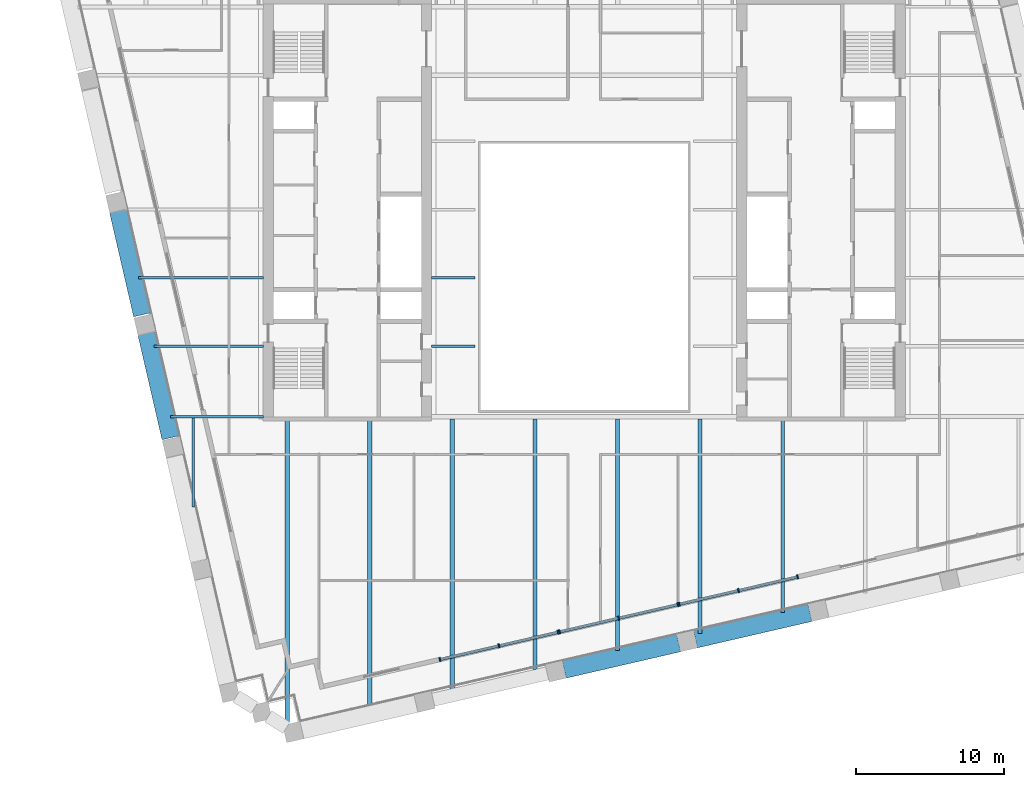
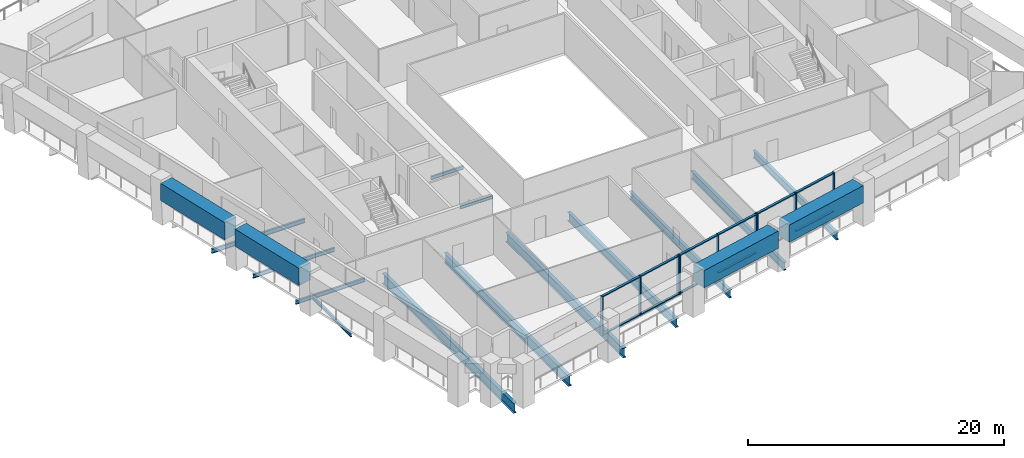
# One storey, part 2 of 14: 21 members, 17 beams, 3 elements without a shape of their own.
"""IFC4 building model written with IfcOpenShell, lengths in metres."""

from ifc_helpers import new_model, si_unit, direction, frame, origin, origin_2d, place, context, subcontext, project, spatial, rectangle, i_section, extrude, material, material_profile, profile_set, type_object, element, aggregate, save


model = new_model("IFC4")

# Units and contexts
model_context = context("Model", 3, precision=1e-05, world=origin(), true_north=direction((0.0, 1.0)))
body_context = subcontext(model_context, "Body", "Model", "MODEL_VIEW")
ifc_project = project(units=[si_unit("LENGTHUNIT", "METRE"), si_unit("AREAUNIT", "SQUARE_METRE"), si_unit("VOLUMEUNIT", "CUBIC_METRE"), si_unit("PLANEANGLEUNIT", "RADIAN"), si_unit("MASSUNIT", "GRAM", prefix="KILO")], contexts=[model_context])

# Site, building, storey
site_placement = place(None, origin())
site = spatial("IfcSite", under=ifc_project, at=site_placement, CompositionType="ELEMENT")
building_placement = place(site_placement, origin())
building = spatial("IfcBuilding", under=site, at=building_placement, Name="Ogive Exchange Tower", CompositionType="ELEMENT")
storey_placement = place(building_placement, frame((0.0, 0.0, 222.0)))
storey = spatial("IfcBuildingStorey", under=building, at=storey_placement, Name="L49", CompositionType="ELEMENT", Elevation=222.0)

# Curtain wall, members
ifc_material_1 = material(Name="Anodised aluminium and clear glass", Category="aluminium")
curtain_wall_type = type_object("IfcCurtainWallType", Name="Executive floor glazing", PredefinedType="NOTDEFINED", material=ifc_material_1)
curtain_wall_1_placement = place(storey_placement, origin())
curtain_wall_1 = element("IfcCurtainWall", 1, at=curtain_wall_1_placement, inside=storey, type_object=curtain_wall_type, Name="Executive floor glazing run G2", PredefinedType="NOTDEFINED")
ifc_material_2 = material(Name="Anodised aluminium", Category="aluminium")
ifc_material_profile_1 = material_profile(ifc_material_2, rectangle(XDim=0.280029296875, YDim=0.10009765625, at=origin_2d()), Name="AL 100x280")
ifc_profile_set_1 = profile_set([ifc_material_profile_1], Name="Anodised aluminium")
member_type_1 = type_object("IfcMemberType", Name="Executive floor glazing mullion 100 x 280", PredefinedType="MULLION", material=ifc_profile_set_1)
member_1_placement = place(storey_placement, frame((-9.74853515625, -18.846435546875, 0.0), z_axis=(0.0, 0.0, 1.0), x_axis=(-0.224951017509, 0.974370073289, 0.0)))
member_1 = element("IfcMember", 2, at=member_1_placement, type_object=member_type_1, Name="G2 mullion 1", PredefinedType="MULLION", context=body_context, shape_type="SweptSolid", body=[
    extrude(rectangle(XDim=0.280029296875, YDim=0.10009765625, at=origin_2d()), origin(), (0.0, 0.0, 1.0), 3.75),
])
member_2_placement = place(storey_placement, frame((-5.753662109375, -17.924072265625, 0.0), z_axis=(0.0, 0.0, 1.0), x_axis=(-0.224951017509, 0.974370073289, 0.0)))
member_2 = element("IfcMember", 3, at=member_2_placement, type_object=member_type_1, Name="G2 mullion 2", PredefinedType="MULLION", context=body_context, shape_type="SweptSolid", body=[
    extrude(rectangle(XDim=0.280029296875, YDim=0.10009765625, at=origin_2d()), origin(), (0.0, 0.0, 1.0), 3.75),
])
member_3_placement = place(storey_placement, frame((-1.758544921875, -17.001708984375, 0.0), z_axis=(0.0, 0.0, 1.0), x_axis=(-0.224951017509, 0.974370073289, 0.0)))
member_3 = element("IfcMember", 4, at=member_3_placement, type_object=member_type_1, Name="G2 mullion 3", PredefinedType="MULLION", context=body_context, shape_type="SweptSolid", body=[
    extrude(rectangle(XDim=0.280029296875, YDim=0.10009765625, at=origin_2d()), origin(), (0.0, 0.0, 1.0), 3.75),
])

curtain_wall_2_placement = place(storey_placement, origin())
curtain_wall_2 = element("IfcCurtainWall", 5, at=curtain_wall_2_placement, inside=storey, type_object=curtain_wall_type, Name="Executive floor glazing run G3", PredefinedType="NOTDEFINED")
member_4_placement = place(storey_placement, frame((-1.6611328125, -16.979248046875, 0.0), z_axis=(0.0, 0.0, 1.0), x_axis=(-0.224951017509, 0.974370073289, 0.0)))
member_4 = element("IfcMember", 6, at=member_4_placement, type_object=member_type_1, Name="G3 mullion 1", PredefinedType="MULLION", context=body_context, shape_type="SweptSolid", body=[
    extrude(rectangle(XDim=0.280029296875, YDim=0.10009765625, at=origin_2d()), origin(), (0.0, 0.0, 1.0), 3.75),
])
member_5_placement = place(storey_placement, frame((2.333740234375, -16.056884765625, 0.0), z_axis=(0.0, 0.0, 1.0), x_axis=(-0.224951017509, 0.974370073289, 0.0)))
member_5 = element("IfcMember", 7, at=member_5_placement, type_object=member_type_1, Name="G3 mullion 2", PredefinedType="MULLION", context=body_context, shape_type="SweptSolid", body=[
    extrude(rectangle(XDim=0.280029296875, YDim=0.10009765625, at=origin_2d()), origin(), (0.0, 0.0, 1.0), 3.75),
])
member_6_placement = place(storey_placement, frame((6.32861328125, -15.134765625, 0.0), z_axis=(0.0, 0.0, 1.0), x_axis=(-0.224951017509, 0.974370073289, 0.0)))
member_6 = element("IfcMember", 8, at=member_6_placement, type_object=member_type_1, Name="G3 mullion 3", PredefinedType="MULLION", context=body_context, shape_type="SweptSolid", body=[
    extrude(rectangle(XDim=0.280029296875, YDim=0.10009765625, at=origin_2d()), origin(), (0.0, 0.0, 1.0), 3.75),
])

curtain_wall_3_placement = place(storey_placement, origin())
curtain_wall_3 = element("IfcCurtainWall", 9, at=curtain_wall_3_placement, inside=storey, type_object=curtain_wall_type, Name="Executive floor glazing run G4", PredefinedType="NOTDEFINED")
member_7_placement = place(storey_placement, frame((6.426025390625, -15.112060546875, 0.0), z_axis=(0.0, 0.0, 1.0), x_axis=(-0.224953658314, 0.974369463608, 0.0)))
member_7 = element("IfcMember", 10, at=member_7_placement, type_object=member_type_1, Name="G4 mullion 1", PredefinedType="MULLION", context=body_context, shape_type="SweptSolid", body=[
    extrude(rectangle(XDim=0.280029296875, YDim=0.10009765625, at=origin_2d()), origin(), (0.0, 0.0, 1.0), 3.75),
])
member_8_placement = place(storey_placement, frame((10.4208984375, -14.18994140625, 0.0), z_axis=(0.0, 0.0, 1.0), x_axis=(-0.224953658314, 0.974369463608, 0.0)))
member_8 = element("IfcMember", 11, at=member_8_placement, type_object=member_type_1, Name="G4 mullion 2", PredefinedType="MULLION", context=body_context, shape_type="SweptSolid", body=[
    extrude(rectangle(XDim=0.280029296875, YDim=0.10009765625, at=origin_2d()), origin(), (0.0, 0.0, 1.0), 3.75),
])
member_9_placement = place(storey_placement, frame((14.415771484375, -13.267578125, 0.0), z_axis=(0.0, 0.0, 1.0), x_axis=(-0.224953658314, 0.974369463608, 0.0)))
member_9 = element("IfcMember", 12, at=member_9_placement, type_object=member_type_1, Name="G4 mullion 3", PredefinedType="MULLION", context=body_context, shape_type="SweptSolid", body=[
    extrude(rectangle(XDim=0.280029296875, YDim=0.10009765625, at=origin_2d()), origin(), (0.0, 0.0, 1.0), 3.75),
])

# Member
ifc_material_profile_2 = material_profile(ifc_material_2, rectangle(XDim=0.199951171875, YDim=0.10009765625, at=origin_2d()), Name="AL 100x200")
ifc_profile_set_2 = profile_set([ifc_material_profile_2], Name="Anodised aluminium")
member_type_2 = type_object("IfcMemberType", Name="Executive floor glazing transom 100 x 200", PredefinedType="USERDEFINED", material=ifc_profile_set_2)
member_10_placement = place(storey_placement, frame((-9.69970703125, -18.835205078125, 0.050048828125), z_axis=(0.974364443081, 0.224975403232, 0.0), x_axis=(-0.224975403232, 0.974364443081, 0.0)))
member_10 = element("IfcMember", 13, at=member_10_placement, type_object=member_type_2, Name="G2 transom 1.1", ObjectType="TRANSOM", PredefinedType="USERDEFINED", context=body_context, shape_type="SweptSolid", body=[
    extrude(rectangle(XDim=0.199951171875, YDim=0.10009765625, at=origin_2d()), origin(), (0.0, 0.0, 1.0), 4.0),
])

member_11_placement = place(storey_placement, frame((-9.69970703125, -18.835205078125, 3.699951171875), z_axis=(0.974364443081, 0.224975403232, 0.0), x_axis=(-0.224975403232, 0.974364443081, 0.0)))
member_11 = element("IfcMember", 14, at=member_11_placement, type_object=member_type_2, Name="G2 transom 1.2", ObjectType="TRANSOM", PredefinedType="USERDEFINED", context=body_context, shape_type="SweptSolid", body=[
    extrude(rectangle(XDim=0.199951171875, YDim=0.10009765625, at=origin_2d()), origin(), (0.0, 0.0, 1.0), 4.0),
])

member_12_placement = place(storey_placement, frame((-5.704833984375, -17.912841796875, 0.050048828125), z_axis=(0.974364443081, 0.224975403232, 0.0), x_axis=(-0.224975403232, 0.974364443081, 0.0)))
member_12 = element("IfcMember", 15, at=member_12_placement, type_object=member_type_2, Name="G2 transom 2.1", ObjectType="TRANSOM", PredefinedType="USERDEFINED", context=body_context, shape_type="SweptSolid", body=[
    extrude(rectangle(XDim=0.199951171875, YDim=0.10009765625, at=origin_2d()), origin(), (0.0, 0.0, 1.0), 4.0),
])

member_13_placement = place(storey_placement, frame((-5.704833984375, -17.912841796875, 3.699951171875), z_axis=(0.974364443081, 0.224975403232, 0.0), x_axis=(-0.224975403232, 0.974364443081, 0.0)))
member_13 = element("IfcMember", 16, at=member_13_placement, type_object=member_type_2, Name="G2 transom 2.2", ObjectType="TRANSOM", PredefinedType="USERDEFINED", context=body_context, shape_type="SweptSolid", body=[
    extrude(rectangle(XDim=0.199951171875, YDim=0.10009765625, at=origin_2d()), origin(), (0.0, 0.0, 1.0), 4.0),
])

aggregate(curtain_wall_1, [member_1, member_2, member_3, member_10, member_11, member_12, member_13])

member_14_placement = place(storey_placement, frame((-1.612548828125, -16.968017578125, 0.050048828125), z_axis=(0.974364443081, 0.224975403232, 0.0), x_axis=(-0.224975403232, 0.974364443081, 0.0)))
member_14 = element("IfcMember", 17, at=member_14_placement, type_object=member_type_2, Name="G3 transom 1.1", ObjectType="TRANSOM", PredefinedType="USERDEFINED", context=body_context, shape_type="SweptSolid", body=[
    extrude(rectangle(XDim=0.199951171875, YDim=0.10009765625, at=origin_2d()), origin(), (0.0, 0.0, 1.0), 4.0),
])

member_15_placement = place(storey_placement, frame((-1.612548828125, -16.968017578125, 3.699951171875), z_axis=(0.974364443081, 0.224975403232, 0.0), x_axis=(-0.224975403232, 0.974364443081, 0.0)))
member_15 = element("IfcMember", 18, at=member_15_placement, type_object=member_type_2, Name="G3 transom 1.2", ObjectType="TRANSOM", PredefinedType="USERDEFINED", context=body_context, shape_type="SweptSolid", body=[
    extrude(rectangle(XDim=0.199951171875, YDim=0.10009765625, at=origin_2d()), origin(), (0.0, 0.0, 1.0), 4.0),
])

member_16_placement = place(storey_placement, frame((2.382568359375, -16.045654296875, 0.050048828125), z_axis=(0.974377820927, 0.224917456159, 0.0), x_axis=(-0.224917456159, 0.974377820927, 0.0)))
member_16 = element("IfcMember", 19, at=member_16_placement, type_object=member_type_2, Name="G3 transom 2.1", ObjectType="TRANSOM", PredefinedType="USERDEFINED", context=body_context, shape_type="SweptSolid", body=[
    extrude(rectangle(XDim=0.199951171875, YDim=0.10009765625, at=origin_2d()), origin(), (0.0, 0.0, 1.0), 4.0),
])

member_17_placement = place(storey_placement, frame((2.382568359375, -16.045654296875, 3.699951171875), z_axis=(0.974377820927, 0.224917456159, 0.0), x_axis=(-0.224917456159, 0.974377820927, 0.0)))
member_17 = element("IfcMember", 20, at=member_17_placement, type_object=member_type_2, Name="G3 transom 2.2", ObjectType="TRANSOM", PredefinedType="USERDEFINED", context=body_context, shape_type="SweptSolid", body=[
    extrude(rectangle(XDim=0.199951171875, YDim=0.10009765625, at=origin_2d()), origin(), (0.0, 0.0, 1.0), 4.0),
])

aggregate(curtain_wall_2, [member_4, member_5, member_6, member_14, member_15, member_16, member_17])

member_18_placement = place(storey_placement, frame((6.474853515625, -15.100830078125, 0.050048828125), z_axis=(0.974377820927, 0.224917456159, 0.0), x_axis=(-0.224917456159, 0.974377820927, 0.0)))
member_18 = element("IfcMember", 21, at=member_18_placement, type_object=member_type_2, Name="G4 transom 1.1", ObjectType="TRANSOM", PredefinedType="USERDEFINED", context=body_context, shape_type="SweptSolid", body=[
    extrude(rectangle(XDim=0.199951171875, YDim=0.10009765625, at=origin_2d()), origin(), (0.0, 0.0, 1.0), 4.0),
])

member_19_placement = place(storey_placement, frame((6.474853515625, -15.100830078125, 3.699951171875), z_axis=(0.974377820927, 0.224917456159, 0.0), x_axis=(-0.224917456159, 0.974377820927, 0.0)))
member_19 = element("IfcMember", 22, at=member_19_placement, type_object=member_type_2, Name="G4 transom 1.2", ObjectType="TRANSOM", PredefinedType="USERDEFINED", context=body_context, shape_type="SweptSolid", body=[
    extrude(rectangle(XDim=0.199951171875, YDim=0.10009765625, at=origin_2d()), origin(), (0.0, 0.0, 1.0), 4.0),
])

member_20_placement = place(storey_placement, frame((10.4697265625, -14.1787109375, 0.050048828125), z_axis=(0.974364443081, 0.224975403232, 0.0), x_axis=(-0.224975403232, 0.974364443081, 0.0)))
member_20 = element("IfcMember", 23, at=member_20_placement, type_object=member_type_2, Name="G4 transom 2.1", ObjectType="TRANSOM", PredefinedType="USERDEFINED", context=body_context, shape_type="SweptSolid", body=[
    extrude(rectangle(XDim=0.199951171875, YDim=0.10009765625, at=origin_2d()), origin(), (0.0, 0.0, 1.0), 4.0),
])

member_21_placement = place(storey_placement, frame((10.4697265625, -14.1787109375, 3.699951171875), z_axis=(0.974364443081, 0.224975403232, 0.0), x_axis=(-0.224975403232, 0.974364443081, 0.0)))
member_21 = element("IfcMember", 24, at=member_21_placement, type_object=member_type_2, Name="G4 transom 2.2", ObjectType="TRANSOM", PredefinedType="USERDEFINED", context=body_context, shape_type="SweptSolid", body=[
    extrude(rectangle(XDim=0.199951171875, YDim=0.10009765625, at=origin_2d()), origin(), (0.0, 0.0, 1.0), 4.0),
])

aggregate(curtain_wall_3, [member_7, member_8, member_9, member_18, member_19, member_20, member_21])

# Beams
ifc_material_3 = material(Name="Steel ASTM A992 Gr50", Category="steel")
ifc_material_profile_3 = material_profile(ifc_material_3, i_section(OverallWidth=0.300048828125, OverallDepth=0.969970703125, WebThickness=0.01611328125, FlangeThickness=0.02099609375, at=origin_2d()), Name="W1000x222")
ifc_profile_set_3 = profile_set([ifc_material_profile_3], Name="Steel ASTM A992 Gr50")
beam_type_1 = type_object("IfcBeamType", Name="Floor beam W1000x222", PredefinedType="JOIST", material=ifc_profile_set_3)
beam_1_placement = place(storey_placement, frame((-14.472412109375, -22.09228515625, -0.735107421875), z_axis=(0.0, 1.0, 0.0), x_axis=(-1.0, 0.0, 0.0)))
element("IfcBeam", 25, at=beam_1_placement, inside=storey, type_object=beam_type_1, Name="Floor beam", PredefinedType="JOIST", context=body_context, shape_type="SweptSolid", body=[
    extrude(i_section(OverallWidth=0.300048828125, OverallDepth=0.969970703125, WebThickness=0.01611328125, FlangeThickness=0.02099609375, at=origin_2d()), origin(), (0.0, 0.0, 1.0), 19.4921875),
])
ifc_material_profile_4 = material_profile(ifc_material_3, i_section(OverallWidth=0.300048828125, OverallDepth=0.97998046875, WebThickness=0.0166015625, FlangeThickness=0.026123046875, at=origin_2d()), Name="W1000x249")
ifc_profile_set_4 = profile_set([ifc_material_profile_4], Name="Steel ASTM A992 Gr50")
beam_type_2 = type_object("IfcBeamType", Name="Floor beam W1000x249", PredefinedType="JOIST", material=ifc_profile_set_4)
beam_2_placement = place(storey_placement, frame((-20.04833984375, -23.119384765625, -0.739990234375), z_axis=(0.0, 1.0, 0.0), x_axis=(-1.0, 0.0, 0.0)))
element("IfcBeam", 26, at=beam_2_placement, inside=storey, type_object=beam_type_2, Name="Floor beam", PredefinedType="JOIST", context=body_context, shape_type="SweptSolid", body=[
    extrude(i_section(OverallWidth=0.300048828125, OverallDepth=0.97998046875, WebThickness=0.0166015625, FlangeThickness=0.026123046875, at=origin_2d()), origin(), (0.0, 0.0, 1.0), 20.519287109375),
])
ifc_material_profile_5 = material_profile(ifc_material_3, i_section(OverallWidth=0.1650390625, OverallDepth=0.31005859375, WebThickness=0.005859375, FlangeThickness=0.009765625, at=origin_2d()), Name="W310x38.7")
ifc_profile_set_5 = profile_set([ifc_material_profile_5], Name="Steel ASTM A992 Gr50")
beam_type_3 = type_object("IfcBeamType", Name="Floor beam W310x38.7", PredefinedType="JOIST", material=ifc_profile_set_5)
for number, where, z_axis, x_axis, name in (
    (27, (-10.320068359375, 2.3212890625, -0.405029296875), (1.0, 0.0, 0.0), (0.0, 1.0, 0.0), "Floor beam"),
    (28, (-10.320068359375, 6.9326171875, -0.405029296875), (1.0, 0.0, 0.0), (0.0, 1.0, 0.0), "Floor beam"),
):
    element("IfcBeam", number, at=place(storey_placement, frame(where, z_axis=z_axis, x_axis=x_axis)), inside=storey, type_object=beam_type_3, Name=name, PredefinedType="JOIST", context=body_context, shape_type="SweptSolid", body=[
        extrude(i_section(OverallWidth=0.1650390625, OverallDepth=0.31005859375, WebThickness=0.005859375, FlangeThickness=0.009765625, at=origin_2d()), origin(), (0.0, 0.0, 1.0), 2.949951171875),
    ])
beam_3_placement = place(storey_placement, frame((-26.424072265625, -8.557373046875, -0.405029296875), z_axis=(0.0, 1.0, 0.0), x_axis=(-1.0, 0.0, 0.0)))
element("IfcBeam", 29, at=beam_3_placement, inside=storey, type_object=beam_type_3, Name="Floor beam", PredefinedType="JOIST", context=body_context, shape_type="SweptSolid", body=[
    extrude(i_section(OverallWidth=0.1650390625, OverallDepth=0.31005859375, WebThickness=0.005859375, FlangeThickness=0.009765625, at=origin_2d()), origin(), (0.0, 0.0, 1.0), 6.02685546875),
])
ifc_material_profile_6 = material_profile(ifc_material_3, i_section(OverallWidth=0.1708984375, OverallDepth=0.35595703125, WebThickness=0.00732421875, FlangeThickness=0.01171875, at=origin_2d()), Name="W360x51")
ifc_profile_set_6 = profile_set([ifc_material_profile_6], Name="Steel ASTM A992 Gr50")
beam_type_4 = type_object("IfcBeamType", Name="Floor beam W360x51", PredefinedType="JOIST", material=ifc_profile_set_6)
beam_4_placement = place(storey_placement, frame((-29.051025390625, 2.3212890625, -0.427978515625), z_axis=(1.0, 0.0, 0.0), x_axis=(0.0, 1.0, 0.0)))
element("IfcBeam", 30, at=beam_4_placement, inside=storey, type_object=beam_type_4, Name="Floor beam", PredefinedType="JOIST", context=body_context, shape_type="SweptSolid", body=[
    extrude(i_section(OverallWidth=0.1708984375, OverallDepth=0.35595703125, WebThickness=0.00732421875, FlangeThickness=0.01171875, at=origin_2d()), origin(), (0.0, 0.0, 1.0), 7.37109375),
])
ifc_material_profile_7 = material_profile(ifc_material_3, i_section(OverallWidth=0.177978515625, OverallDepth=0.406005859375, WebThickness=0.0078125, FlangeThickness=0.0126953125, at=origin_2d()), Name="W410x60")
ifc_profile_set_7 = profile_set([ifc_material_profile_7], Name="Steel ASTM A992 Gr50")
beam_type_5 = type_object("IfcBeamType", Name="Floor beam W410x60", PredefinedType="JOIST", material=ifc_profile_set_7)
beam_5_placement = place(storey_placement, frame((-30.115478515625, 6.9326171875, -0.452880859375), z_axis=(1.0, 0.0, 0.0), x_axis=(0.0, 1.0, 0.0)))
element("IfcBeam", 31, at=beam_5_placement, inside=storey, type_object=beam_type_5, Name="Floor beam", PredefinedType="JOIST", context=body_context, shape_type="SweptSolid", body=[
    extrude(i_section(OverallWidth=0.177978515625, OverallDepth=0.406005859375, WebThickness=0.0078125, FlangeThickness=0.0126953125, at=origin_2d()), origin(), (0.0, 0.0, 1.0), 8.435546875),
])
ifc_material_profile_8 = material_profile(ifc_material_3, i_section(OverallWidth=0.25390625, OverallDepth=0.677978515625, WebThickness=0.01171875, FlangeThickness=0.016357421875, at=origin_2d()), Name="W690x125")
ifc_profile_set_8 = profile_set([ifc_material_profile_8], Name="Steel ASTM A992 Gr50")
beam_type_6 = type_object("IfcBeamType", Name="Floor beam W690x125", PredefinedType="JOIST", material=ifc_profile_set_8)
beam_6_placement = place(storey_placement, frame((13.406494140625, -15.656005859375, -0.589111328125), z_axis=(0.0, 1.0, 0.0), x_axis=(-1.0, 0.0, 0.0)))
element("IfcBeam", 32, at=beam_6_placement, inside=storey, type_object=beam_type_6, Name="Floor beam", PredefinedType="JOIST", context=body_context, shape_type="SweptSolid", body=[
    extrude(i_section(OverallWidth=0.25390625, OverallDepth=0.677978515625, WebThickness=0.01171875, FlangeThickness=0.016357421875, at=origin_2d()), origin(), (0.0, 0.0, 1.0), 13.055908203125),
])
ifc_material_profile_9 = material_profile(ifc_material_3, i_section(OverallWidth=0.26708984375, OverallDepth=0.75390625, WebThickness=0.01318359375, FlangeThickness=0.01708984375, at=origin_2d()), Name="W760x147")
ifc_profile_set_9 = profile_set([ifc_material_profile_9], Name="Steel ASTM A992 Gr50")
beam_type_7 = type_object("IfcBeamType", Name="Floor beam W760x147", PredefinedType="JOIST", material=ifc_profile_set_9)
beam_7_placement = place(storey_placement, frame((2.2548828125, -18.23046875, -0.626953125), z_axis=(0.0, 1.0, 0.0), x_axis=(-1.0, 0.0, 0.0)))
element("IfcBeam", 33, at=beam_7_placement, inside=storey, type_object=beam_type_7, Name="Floor beam", PredefinedType="JOIST", context=body_context, shape_type="SweptSolid", body=[
    extrude(i_section(OverallWidth=0.26708984375, OverallDepth=0.75390625, WebThickness=0.01318359375, FlangeThickness=0.01708984375, at=origin_2d()), origin(), (0.0, 0.0, 1.0), 15.635498046875),
])
beam_8_placement = place(storey_placement, frame((7.83056640625, -17.093017578125, -0.626953125), z_axis=(0.0, 1.0, 0.0), x_axis=(-1.0, 0.0, 0.0)))
element("IfcBeam", 34, at=beam_8_placement, inside=storey, type_object=beam_type_7, Name="Floor beam", PredefinedType="JOIST", context=body_context, shape_type="SweptSolid", body=[
    extrude(i_section(OverallWidth=0.26708984375, OverallDepth=0.75390625, WebThickness=0.01318359375, FlangeThickness=0.01708984375, at=origin_2d()), origin(), (0.0, 0.0, 1.0), 14.498046875),
])
ifc_material_profile_10 = material_profile(ifc_material_3, i_section(OverallWidth=0.2919921875, OverallDepth=0.8359375, WebThickness=0.013916015625, FlangeThickness=0.018798828125, at=origin_2d()), Name="W840x176")
ifc_profile_set_10 = profile_set([ifc_material_profile_10], Name="Steel ASTM A992 Gr50")
beam_type_8 = type_object("IfcBeamType", Name="Floor beam W840x176", PredefinedType="JOIST", material=ifc_profile_set_10)
beam_9_placement = place(storey_placement, frame((-3.321044921875, -19.517578125, -0.66796875), z_axis=(0.0, 1.0, 0.0), x_axis=(-1.0, 0.0, 0.0)))
element("IfcBeam", 35, at=beam_9_placement, inside=storey, type_object=beam_type_8, Name="Floor beam", PredefinedType="JOIST", context=body_context, shape_type="SweptSolid", body=[
    extrude(i_section(OverallWidth=0.2919921875, OverallDepth=0.8359375, WebThickness=0.013916015625, FlangeThickness=0.018798828125, at=origin_2d()), origin(), (0.0, 0.0, 1.0), 16.922607421875),
])
ifc_material_profile_11 = material_profile(ifc_material_3, i_section(OverallWidth=0.304931640625, OverallDepth=0.904052734375, WebThickness=0.01513671875, FlangeThickness=0.02001953125, at=origin_2d()), Name="W920x201")
ifc_profile_set_11 = profile_set([ifc_material_profile_11], Name="Steel ASTM A992 Gr50")
beam_type_9 = type_object("IfcBeamType", Name="Floor beam W920x201", PredefinedType="JOIST", material=ifc_profile_set_11)
beam_10_placement = place(storey_placement, frame((-8.896728515625, -20.954833984375, -0.701904296875), z_axis=(0.0, 1.0, 0.0), x_axis=(-1.0, 0.0, 0.0)))
element("IfcBeam", 36, at=beam_10_placement, inside=storey, type_object=beam_type_9, Name="Floor beam", PredefinedType="JOIST", context=body_context, shape_type="SweptSolid", body=[
    extrude(i_section(OverallWidth=0.304931640625, OverallDepth=0.904052734375, WebThickness=0.01513671875, FlangeThickness=0.02001953125, at=origin_2d()), origin(), (0.0, 0.0, 1.0), 18.35986328125),
])
ifc_material_profile_12 = material_profile(ifc_material_3, i_section(OverallWidth=0.1708984375, OverallDepth=0.35595703125, WebThickness=0.00732421875, FlangeThickness=0.01171875, at=origin_2d()), Name="W360x51")
ifc_profile_set_12 = profile_set([ifc_material_profile_12], Name="Steel ASTM A992 Gr50")
beam_type_10 = type_object("IfcBeamType", Name="Girder W360x51", PredefinedType="BEAM", material=ifc_profile_set_12)
beam_11_placement = place(storey_placement, frame((-27.95068359375, -2.445068359375, -0.427978515625), z_axis=(1.0, 0.0, 0.0), x_axis=(0.0, 1.0, 0.0)))
element("IfcBeam", 37, at=beam_11_placement, inside=storey, type_object=beam_type_10, Name="Header girder", PredefinedType="BEAM", context=body_context, shape_type="SweptSolid", body=[
    extrude(i_section(OverallWidth=0.1708984375, OverallDepth=0.35595703125, WebThickness=0.00732421875, FlangeThickness=0.01171875, at=origin_2d()), origin(), (0.0, 0.0, 1.0), 6.270751953125),
])
ifc_material_4 = material(Name="Precast concrete C70/85 (limestone faced)", Category="masonry")
ifc_material_profile_13 = material_profile(ifc_material_4, rectangle(XDim=1.199951171875, YDim=1.64990234375, at=origin_2d()), Name="1200 x 1650")
ifc_profile_set_13 = profile_set([ifc_material_profile_13], Name="Precast concrete C70/85 (limestone faced)")
beam_type_11 = type_object("IfcBeamType", Name="Precast portal sill beam 1200 x 1650 C70/85", PredefinedType="BEAM", material=ifc_profile_set_13)
for number, where, z_axis, x_axis, name in (
    (38, (-1.3505859375, -19.524658203125, 3.125), (0.974369944206, 0.224951576629, 0.0), (-0.224951576629, 0.974369944206, 0.0), "Slot sill beam 3"),
    (39, (7.51611328125, -17.4775390625, 3.125), (0.974369944206, 0.224951576629, 0.0), (-0.224951576629, 0.974369944206, 0.0), "Slot sill beam 4"),
):
    element("IfcBeam", number, at=place(storey_placement, frame(where, z_axis=z_axis, x_axis=x_axis)), inside=storey, type_object=beam_type_11, Name=name, PredefinedType="BEAM", context=body_context, shape_type="SweptSolid", body=[
        extrude(rectangle(XDim=1.199951171875, YDim=1.64990234375, at=origin_2d()), origin(), (0.0, 0.0, 1.0), 7.940185546875),
    ])
for number, where, z_axis, x_axis, name in (
    (40, (-31.509521484375, 11.619384765625, 3.125), (0.224968411241, -0.974366057467, 0.0), (0.974366057467, 0.224968411241, 0.0), "Slot sill beam 29"),
    (41, (-29.59130859375, 3.310302734375, 3.125), (0.224968411241, -0.974366057467, 0.0), (0.974366057467, 0.224968411241, 0.0), "Slot sill beam 30"),
):
    element("IfcBeam", number, at=place(storey_placement, frame(where, z_axis=z_axis, x_axis=x_axis)), inside=storey, type_object=beam_type_11, Name=name, PredefinedType="BEAM", context=body_context, shape_type="SweptSolid", body=[
        extrude(rectangle(XDim=1.199951171875, YDim=1.64990234375, at=origin_2d()), origin(), (0.0, 0.0, 1.0), 7.36767578125),
    ])

save(model, "model.ifc")
